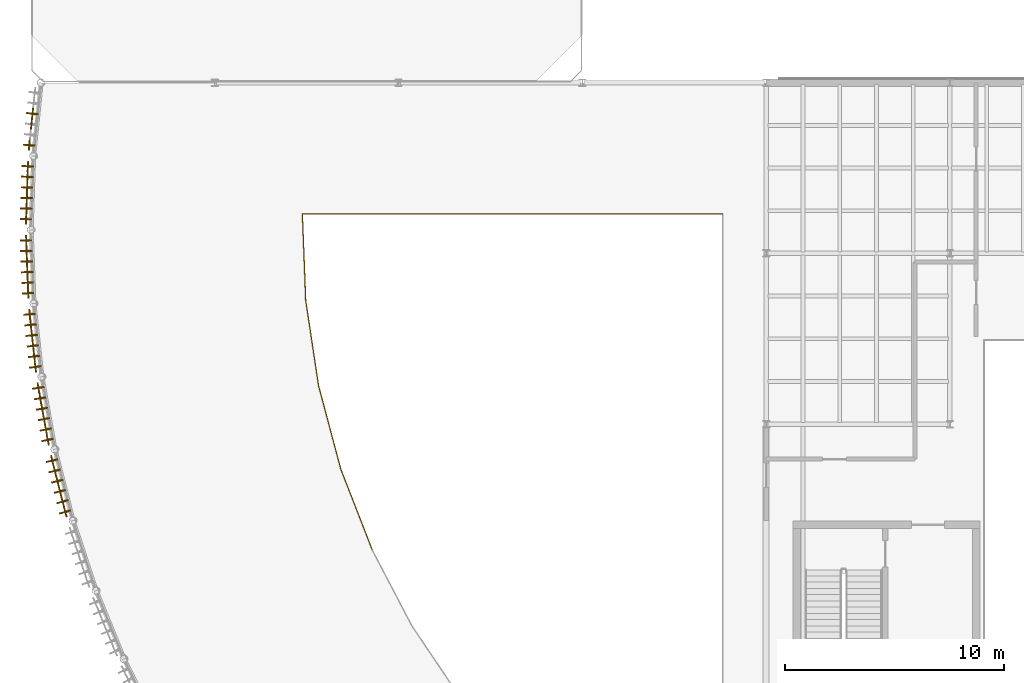
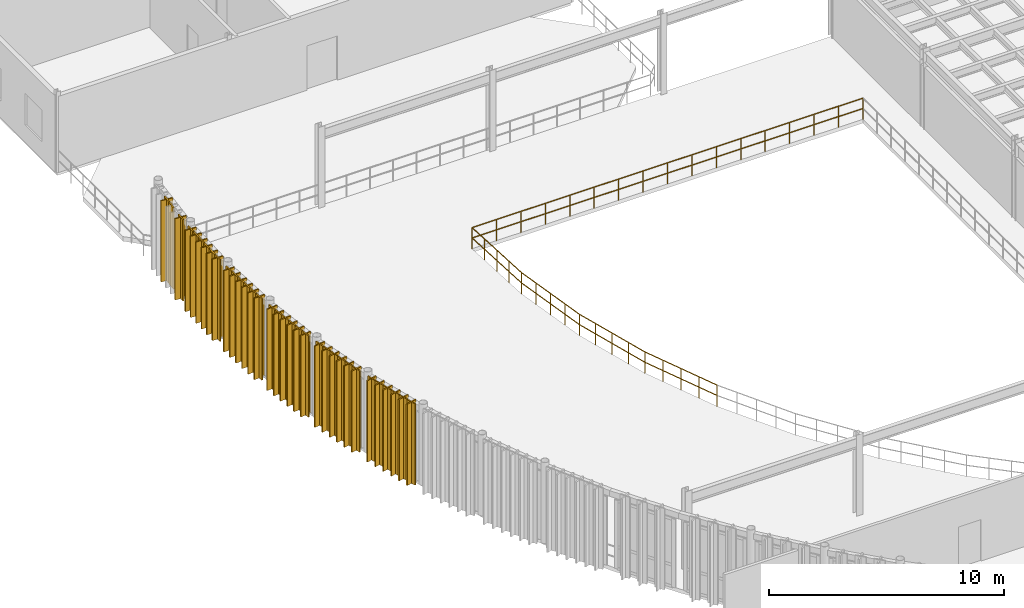
# One storey, part 29 of 32: 33 shading devices, 32 coverings, 5 railings.
"""IFC4 building model written with IfcOpenShell, lengths in metres."""

from ifc_helpers import new_model, si_unit, direction, frame, origin, origin_2d, place, context, subcontext, project, spatial, polyline, rectangle, circle, outline, extrude, material, layer, layer_set, material_profile, profile_set, type_object, element, save


model = new_model("IFC4")

# Units and contexts
model_context = context("Model", 3, precision=1e-05, world=origin(), true_north=direction((0.0, 1.0)))
body_context = subcontext(model_context, "Body", "Model", "MODEL_VIEW")
ifc_project = project(units=[si_unit("LENGTHUNIT", "METRE"), si_unit("AREAUNIT", "SQUARE_METRE"), si_unit("VOLUMEUNIT", "CUBIC_METRE"), si_unit("PLANEANGLEUNIT", "RADIAN"), si_unit("MASSUNIT", "GRAM", prefix="KILO")], contexts=[model_context])

# Site, building, storey
site_placement = place(None, origin())
site = spatial("IfcSite", under=ifc_project, at=site_placement, CompositionType="ELEMENT")
building_placement = place(site_placement, origin())
building = spatial("IfcBuilding", under=site, at=building_placement, Name="Selat Folded Stagehouse", CompositionType="ELEMENT")
storey_placement = place(building_placement, frame((0.0, 0.0, 19.199951171875)))
storey = spatial("IfcBuildingStorey", under=building, at=storey_placement, Name="L04", CompositionType="ELEMENT", Elevation=19.199951171875)

# Coverings
ifc_material_1 = material(Name="Bronze-anodised aluminium 6063-T6", Category="aluminium")
ifc_layer_1 = layer(ifc_material_1, 0.06005859375)
ifc_layer_set_1 = layer_set([ifc_layer_1], Name="Bronze-anodised aluminium 6063-T6")
covering_type = type_object("IfcCoveringType", Name="COV-FIN-BRZ42", PredefinedType="CLADDING", material=ifc_layer_set_1)
covering_1_placement = place(storey_placement, frame((0.0, 0.0, -0.099853515625)))
element("IfcCovering", 1, at=covering_1_placement, inside=storey, type_object=covering_type, Name="L04 drum bronze fin cladding sheath 014", PredefinedType="CLADDING", context=body_context, shape_type="SweptSolid", body=[
    extrude(outline(polyline([(0.3310546875, 53.193359375), (-0.205810546875, 53.251708984375), (-0.212646484375, 53.18798828125), (0.32421875, 53.1298828125), (0.3310546875, 53.193359375)])), origin(), (0.0, 0.0, 1.0), 4.219970703125),
])
covering_2_placement = place(storey_placement, frame((0.0, 0.0, -0.099853515625)))
element("IfcCovering", 2, at=covering_2_placement, inside=storey, type_object=covering_type, Name="L04 drum bronze fin cladding sheath 029", PredefinedType="CLADDING", context=body_context, shape_type="SweptSolid", body=[
    extrude(outline(polyline([(0.181884765625, 51.7578125), (-0.3564453125, 51.7998046875), (-0.361328125, 51.736083984375), (0.177001953125, 51.694091796875), (0.181884765625, 51.7578125)])), origin(), (0.0, 0.0, 1.0), 4.219970703125),
])
covering_3_placement = place(storey_placement, frame((0.0, 0.0, -0.099853515625)))
element("IfcCovering", 3, at=covering_3_placement, inside=storey, type_object=covering_type, Name="L04 drum bronze fin cladding sheath 035", PredefinedType="CLADDING", context=body_context, shape_type="SweptSolid", body=[
    extrude(outline(polyline([(0.1162109375, 50.798583984375), (-0.4228515625, 50.82958984375), (-0.426513671875, 50.765869140625), (0.112548828125, 50.734619140625), (0.1162109375, 50.798583984375)])), origin(), (0.0, 0.0, 1.0), 4.219970703125),
])
covering_4_placement = place(storey_placement, frame((0.0, 0.0, -0.099853515625)))
element("IfcCovering", 4, at=covering_4_placement, inside=storey, type_object=covering_type, Name="L04 drum bronze fin cladding sheath 041", PredefinedType="CLADDING", context=body_context, shape_type="SweptSolid", body=[
    extrude(outline(polyline([(0.10009765625, 50.31787109375), (-0.439208984375, 50.343505859375), (-0.4423828125, 50.279541015625), (0.09716796875, 50.25390625), (0.10009765625, 50.31787109375)])), origin(), (0.0, 0.0, 1.0), 4.219970703125),
])
covering_5_placement = place(storey_placement, frame((0.0, 0.0, -0.099853515625)))
element("IfcCovering", 5, at=covering_5_placement, inside=storey, type_object=covering_type, Name="L04 drum bronze fin cladding sheath 047", PredefinedType="CLADDING", context=body_context, shape_type="SweptSolid", body=[
    extrude(outline(polyline([(0.083984375, 49.8369140625), (-0.45556640625, 49.857421875), (-0.4580078125, 49.793212890625), (0.081787109375, 49.77294921875), (0.083984375, 49.8369140625)])), origin(), (0.0, 0.0, 1.0), 4.219970703125),
])
covering_6_placement = place(storey_placement, frame((0.0, 0.0, -0.099853515625)))
element("IfcCovering", 6, at=covering_6_placement, inside=storey, type_object=covering_type, Name="L04 drum bronze fin cladding sheath 053", PredefinedType="CLADDING", context=body_context, shape_type="SweptSolid", body=[
    extrude(outline(polyline([(0.068115234375, 49.356201171875), (-0.4716796875, 49.37109375), (-0.473388671875, 49.30712890625), (0.06640625, 49.2919921875), (0.068115234375, 49.356201171875)])), origin(), (0.0, 0.0, 1.0), 4.219970703125),
])
covering_7_placement = place(storey_placement, frame((0.0, 0.0, -0.099853515625)))
element("IfcCovering", 7, at=covering_7_placement, inside=storey, type_object=covering_type, Name="L04 drum bronze fin cladding sheath 059", PredefinedType="CLADDING", context=body_context, shape_type="SweptSolid", body=[
    extrude(outline(polyline([(0.052001953125, 48.875244140625), (-0.48779296875, 48.884765625), (-0.489013671875, 48.82080078125), (0.051025390625, 48.811279296875), (0.052001953125, 48.875244140625)])), origin(), (0.0, 0.0, 1.0), 4.219970703125),
])
covering_8_placement = place(storey_placement, frame((0.0, 0.0, -0.099853515625)))
element("IfcCovering", 8, at=covering_8_placement, inside=storey, type_object=covering_type, Name="L04 drum bronze fin cladding sheath 065", PredefinedType="CLADDING", context=body_context, shape_type="SweptSolid", body=[
    extrude(outline(polyline([(0.0361328125, 48.39453125), (-0.50390625, 48.398681640625), (-0.50439453125, 48.334716796875), (0.03564453125, 48.33056640625), (0.0361328125, 48.39453125)])), origin(), (0.0, 0.0, 1.0), 4.219970703125),
])
covering_9_placement = place(storey_placement, frame((0.0, 0.0, -0.099853515625)))
element("IfcCovering", 9, at=covering_9_placement, inside=storey, type_object=covering_type, Name="L04 drum bronze fin cladding sheath 071", PredefinedType="CLADDING", context=body_context, shape_type="SweptSolid", body=[
    extrude(outline(polyline([(0.037841796875, 47.432861328125), (-0.502197265625, 47.42626953125), (-0.50146484375, 47.3623046875), (0.03857421875, 47.368896484375), (0.037841796875, 47.432861328125)])), origin(), (0.0, 0.0, 1.0), 4.219970703125),
])
covering_10_placement = place(storey_placement, frame((0.0, 0.0, -0.099853515625)))
element("IfcCovering", 10, at=covering_10_placement, inside=storey, type_object=covering_type, Name="L04 drum bronze fin cladding sheath 077", PredefinedType="CLADDING", context=body_context, shape_type="SweptSolid", body=[
    extrude(outline(polyline([(0.055419921875, 46.9521484375), (-0.484375, 46.93994140625), (-0.48291015625, 46.8759765625), (0.056884765625, 46.88818359375), (0.055419921875, 46.9521484375)])), origin(), (0.0, 0.0, 1.0), 4.219970703125),
])
covering_11_placement = place(storey_placement, frame((0.0, 0.0, -0.099853515625)))
element("IfcCovering", 11, at=covering_11_placement, inside=storey, type_object=covering_type, Name="L04 drum bronze fin cladding sheath 083", PredefinedType="CLADDING", context=body_context, shape_type="SweptSolid", body=[
    extrude(outline(polyline([(0.0732421875, 46.471435546875), (-0.46630859375, 46.453857421875), (-0.46435546875, 46.389892578125), (0.075439453125, 46.407470703125), (0.0732421875, 46.471435546875)])), origin(), (0.0, 0.0, 1.0), 4.219970703125),
])
covering_12_placement = place(storey_placement, frame((0.0, 0.0, -0.099853515625)))
element("IfcCovering", 12, at=covering_12_placement, inside=storey, type_object=covering_type, Name="L04 drum bronze fin cladding sheath 089", PredefinedType="CLADDING", context=body_context, shape_type="SweptSolid", body=[
    extrude(outline(polyline([(0.091064453125, 45.99072265625), (-0.448486328125, 45.9677734375), (-0.44580078125, 45.90380859375), (0.09375, 45.9267578125), (0.091064453125, 45.99072265625)])), origin(), (0.0, 0.0, 1.0), 4.219970703125),
])
covering_13_placement = place(storey_placement, frame((0.0, 0.0, -0.099853515625)))
element("IfcCovering", 13, at=covering_13_placement, inside=storey, type_object=covering_type, Name="L04 drum bronze fin cladding sheath 095", PredefinedType="CLADDING", context=body_context, shape_type="SweptSolid", body=[
    extrude(outline(polyline([(0.10888671875, 45.510009765625), (-0.430419921875, 45.4814453125), (-0.427001953125, 45.41748046875), (0.1123046875, 45.446044921875), (0.10888671875, 45.510009765625)])), origin(), (0.0, 0.0, 1.0), 4.219970703125),
])
covering_14_placement = place(storey_placement, frame((0.0, 0.0, -0.099853515625)))
element("IfcCovering", 14, at=covering_14_placement, inside=storey, type_object=covering_type, Name="L04 drum bronze fin cladding sheath 101", PredefinedType="CLADDING", context=body_context, shape_type="SweptSolid", body=[
    extrude(outline(polyline([(0.126708984375, 45.029052734375), (-0.412353515625, 44.995361328125), (-0.408447265625, 44.931396484375), (0.130615234375, 44.96533203125), (0.126708984375, 45.029052734375)])), origin(), (0.0, 0.0, 1.0), 4.219970703125),
])
covering_15_placement = place(storey_placement, frame((0.0, 0.0, -0.099853515625)))
element("IfcCovering", 15, at=covering_15_placement, inside=storey, type_object=covering_type, Name="L04 drum bronze fin cladding sheath 107", PredefinedType="CLADDING", context=body_context, shape_type="SweptSolid", body=[
    extrude(outline(polyline([(0.19580078125, 44.070068359375), (-0.34228515625, 44.025390625), (-0.337158203125, 43.961669921875), (0.200927734375, 44.00634765625), (0.19580078125, 44.070068359375)])), origin(), (0.0, 0.0, 1.0), 4.219970703125),
])
covering_16_placement = place(storey_placement, frame((0.0, 0.0, -0.099853515625)))
element("IfcCovering", 16, at=covering_16_placement, inside=storey, type_object=covering_type, Name="L04 drum bronze fin cladding sheath 113", PredefinedType="CLADDING", context=body_context, shape_type="SweptSolid", body=[
    extrude(outline(polyline([(0.247314453125, 43.591796875), (-0.29052734375, 43.541748046875), (-0.28466796875, 43.47802734375), (0.253173828125, 43.528076171875), (0.247314453125, 43.591796875)])), origin(), (0.0, 0.0, 1.0), 4.219970703125),
])
covering_17_placement = place(storey_placement, frame((0.0, 0.0, -0.099853515625)))
element("IfcCovering", 17, at=covering_17_placement, inside=storey, type_object=covering_type, Name="L04 drum bronze fin cladding sheath 119", PredefinedType="CLADDING", context=body_context, shape_type="SweptSolid", body=[
    extrude(outline(polyline([(0.298583984375, 43.11328125), (-0.238525390625, 43.05810546875), (-0.23193359375, 42.994384765625), (0.30517578125, 43.0498046875), (0.298583984375, 43.11328125)])), origin(), (0.0, 0.0, 1.0), 4.219970703125),
])
covering_18_placement = place(storey_placement, frame((0.0, 0.0, -0.099853515625)))
element("IfcCovering", 18, at=covering_18_placement, inside=storey, type_object=covering_type, Name="L04 drum bronze fin cladding sheath 125", PredefinedType="CLADDING", context=body_context, shape_type="SweptSolid", body=[
    extrude(outline(polyline([(0.35009765625, 42.635009765625), (-0.1865234375, 42.57421875), (-0.17919921875, 42.5107421875), (0.357421875, 42.571533203125), (0.35009765625, 42.635009765625)])), origin(), (0.0, 0.0, 1.0), 4.219970703125),
])
covering_19_placement = place(storey_placement, frame((0.0, 0.0, -0.099853515625)))
element("IfcCovering", 19, at=covering_19_placement, inside=storey, type_object=covering_type, Name="L04 drum bronze fin cladding sheath 131", PredefinedType="CLADDING", context=body_context, shape_type="SweptSolid", body=[
    extrude(outline(polyline([(0.401611328125, 42.15673828125), (-0.134521484375, 42.090576171875), (-0.126708984375, 42.027099609375), (0.4091796875, 42.09326171875), (0.401611328125, 42.15673828125)])), origin(), (0.0, 0.0, 1.0), 4.219970703125),
])
covering_20_placement = place(storey_placement, frame((0.0, 0.0, -0.099853515625)))
element("IfcCovering", 20, at=covering_20_placement, inside=storey, type_object=covering_type, Name="L04 drum bronze fin cladding sheath 137", PredefinedType="CLADDING", context=body_context, shape_type="SweptSolid", body=[
    extrude(outline(polyline([(0.452880859375, 41.678466796875), (-0.082275390625, 41.606689453125), (-0.073974609375, 41.54345703125), (0.46142578125, 41.614990234375), (0.452880859375, 41.678466796875)])), origin(), (0.0, 0.0, 1.0), 4.219970703125),
])
covering_21_placement = place(storey_placement, frame((0.0, 0.0, -0.099853515625)))
element("IfcCovering", 21, at=covering_21_placement, inside=storey, type_object=covering_type, Name="L04 drum bronze fin cladding sheath 143", PredefinedType="CLADDING", context=body_context, shape_type="SweptSolid", body=[
    extrude(outline(polyline([(0.589111328125, 40.7265625), (0.055419921875, 40.644287109375), (0.065185546875, 40.5810546875), (0.598876953125, 40.6630859375), (0.589111328125, 40.7265625)])), origin(), (0.0, 0.0, 1.0), 4.219970703125),
])
covering_22_placement = place(storey_placement, frame((0.0, 0.0, -0.099853515625)))
element("IfcCovering", 22, at=covering_22_placement, inside=storey, type_object=covering_type, Name="L04 drum bronze fin cladding sheath 149", PredefinedType="CLADDING", context=body_context, shape_type="SweptSolid", body=[
    extrude(outline(polyline([(0.674072265625, 40.2529296875), (0.14111328125, 40.165283203125), (0.151611328125, 40.102294921875), (0.684326171875, 40.189697265625), (0.674072265625, 40.2529296875)])), origin(), (0.0, 0.0, 1.0), 4.219970703125),
])
covering_23_placement = place(storey_placement, frame((0.0, 0.0, -0.099853515625)))
element("IfcCovering", 23, at=covering_23_placement, inside=storey, type_object=covering_type, Name="L04 drum bronze fin cladding sheath 155", PredefinedType="CLADDING", context=body_context, shape_type="SweptSolid", body=[
    extrude(outline(polyline([(0.7587890625, 39.779296875), (0.22705078125, 39.6865234375), (0.238037109375, 39.623291015625), (0.77001953125, 39.71630859375), (0.7587890625, 39.779296875)])), origin(), (0.0, 0.0, 1.0), 4.219970703125),
])
covering_24_placement = place(storey_placement, frame((0.0, 0.0, -0.099853515625)))
element("IfcCovering", 24, at=covering_24_placement, inside=storey, type_object=covering_type, Name="L04 drum bronze fin cladding sheath 161", PredefinedType="CLADDING", context=body_context, shape_type="SweptSolid", body=[
    extrude(outline(polyline([(0.84375, 39.305908203125), (0.312744140625, 39.20751953125), (0.324462890625, 39.144775390625), (0.85546875, 39.242919921875), (0.84375, 39.305908203125)])), origin(), (0.0, 0.0, 1.0), 4.219970703125),
])
covering_25_placement = place(storey_placement, frame((0.0, 0.0, -0.099853515625)))
element("IfcCovering", 25, at=covering_25_placement, inside=storey, type_object=covering_type, Name="L04 drum bronze fin cladding sheath 167", PredefinedType="CLADDING", context=body_context, shape_type="SweptSolid", body=[
    extrude(outline(polyline([(0.9287109375, 38.832275390625), (0.398681640625, 38.728759765625), (0.410888671875, 38.666015625), (0.94091796875, 38.76953125), (0.9287109375, 38.832275390625)])), origin(), (0.0, 0.0, 1.0), 4.219970703125),
])
covering_26_placement = place(storey_placement, frame((0.0, 0.0, -0.099853515625)))
element("IfcCovering", 26, at=covering_26_placement, inside=storey, type_object=covering_type, Name="L04 drum bronze fin cladding sheath 173", PredefinedType="CLADDING", context=body_context, shape_type="SweptSolid", body=[
    extrude(outline(polyline([(1.013427734375, 38.35888671875), (0.484619140625, 38.25), (0.497314453125, 38.187255859375), (1.0263671875, 38.296142578125), (1.013427734375, 38.35888671875)])), origin(), (0.0, 0.0, 1.0), 4.219970703125),
])
covering_27_placement = place(storey_placement, frame((0.0, 0.0, -0.099853515625)))
element("IfcCovering", 27, at=covering_27_placement, inside=storey, type_object=covering_type, Name="L04 drum bronze fin cladding sheath 179", PredefinedType="CLADDING", context=body_context, shape_type="SweptSolid", body=[
    extrude(outline(polyline([(1.216064453125, 37.418701171875), (0.689453125, 37.29931640625), (0.70361328125, 37.23681640625), (1.230224609375, 37.3564453125), (1.216064453125, 37.418701171875)])), origin(), (0.0, 0.0, 1.0), 4.219970703125),
])
covering_28_placement = place(storey_placement, frame((0.0, 0.0, -0.099853515625)))
element("IfcCovering", 28, at=covering_28_placement, inside=storey, type_object=covering_type, Name="L04 drum bronze fin cladding sheath 185", PredefinedType="CLADDING", context=body_context, shape_type="SweptSolid", body=[
    extrude(outline(polyline([(1.333984375, 36.952392578125), (0.80859375, 36.82763671875), (0.823486328125, 36.765380859375), (1.348876953125, 36.89013671875), (1.333984375, 36.952392578125)])), origin(), (0.0, 0.0, 1.0), 4.219970703125),
])
covering_29_placement = place(storey_placement, frame((0.0, 0.0, -0.099853515625)))
element("IfcCovering", 29, at=covering_29_placement, inside=storey, type_object=covering_type, Name="L04 drum bronze fin cladding sheath 191", PredefinedType="CLADDING", context=body_context, shape_type="SweptSolid", body=[
    extrude(outline(polyline([(1.451904296875, 36.48583984375), (0.927734375, 36.35595703125), (0.943115234375, 36.293701171875), (1.46728515625, 36.423828125), (1.451904296875, 36.48583984375)])), origin(), (0.0, 0.0, 1.0), 4.219970703125),
])
covering_30_placement = place(storey_placement, frame((0.0, 0.0, -0.099853515625)))
element("IfcCovering", 30, at=covering_30_placement, inside=storey, type_object=covering_type, Name="L04 drum bronze fin cladding sheath 197", PredefinedType="CLADDING", context=body_context, shape_type="SweptSolid", body=[
    extrude(outline(polyline([(1.569580078125, 36.01953125), (1.046875, 35.88427734375), (1.06298828125, 35.822265625), (1.585693359375, 35.95751953125), (1.569580078125, 36.01953125)])), origin(), (0.0, 0.0, 1.0), 4.219970703125),
])
covering_31_placement = place(storey_placement, frame((0.0, 0.0, -0.099853515625)))
element("IfcCovering", 31, at=covering_31_placement, inside=storey, type_object=covering_type, Name="L04 drum bronze fin cladding sheath 203", PredefinedType="CLADDING", context=body_context, shape_type="SweptSolid", body=[
    extrude(outline(polyline([(1.6875, 35.552978515625), (1.166259765625, 35.41259765625), (1.182861328125, 35.350830078125), (1.7041015625, 35.4912109375), (1.6875, 35.552978515625)])), origin(), (0.0, 0.0, 1.0), 4.219970703125),
])
covering_32_placement = place(storey_placement, frame((0.0, 0.0, -0.099853515625)))
element("IfcCovering", 32, at=covering_32_placement, inside=storey, type_object=covering_type, Name="L04 drum bronze fin cladding sheath 209", PredefinedType="CLADDING", context=body_context, shape_type="SweptSolid", body=[
    extrude(outline(polyline([(1.805419921875, 35.086669921875), (1.285400390625, 34.94091796875), (1.302734375, 34.87939453125), (1.82275390625, 35.02490234375), (1.805419921875, 35.086669921875)])), origin(), (0.0, 0.0, 1.0), 4.219970703125),
])

# Railings
ifc_material_2 = material(Name="Bronze-anodised steel balustrade", Category="steel")
ifc_layer_2 = layer(ifc_material_2, 0.06494140625)
ifc_layer_set_2 = layer_set([ifc_layer_2], Name="Bronze-anodised steel balustrade")
railing_type = type_object("IfcRailingType", Name="RLG-BAL-1120", PredefinedType="BALUSTRADE", material=ifc_layer_set_2)
railing_1_placement = place(storey_placement, frame((15.592041015625, 33.26611328125, 0.0)))
element("IfcRailing", 33, at=railing_1_placement, inside=storey, type_object=railing_type, Name="L04 protective guard railing 117", PredefinedType="BALUSTRADE", context=body_context, shape_type="SweptSolid", body=[
    extrude(circle(Radius=0.02392578125, at=origin_2d()), frame((0.0, 0.0, 1.09619140625), z_axis=(-0.362765727312, 0.931880371661, 0.0), x_axis=(-0.931880371661, -0.362765727312, 0.0)), (0.0, 0.0, 1.0), 3.94580078125),
    extrude(circle(Radius=0.02392578125, at=origin_2d()), frame((0.0, 0.0, 0.56005859375), z_axis=(-0.362765727312, 0.931880371661, 0.0), x_axis=(-0.931880371661, -0.362765727312, 0.0)), (0.0, 0.0, 1.0), 3.94580078125),
    extrude(circle(Radius=0.02099609375, at=origin_2d()), origin(), (0.0, 0.0, 1.0), 1.072021484375),
    extrude(circle(Radius=0.02099609375, at=origin_2d()), frame((-0.35791015625, 0.919189453125, 0.0)), (0.0, 0.0, 1.0), 1.072021484375),
    extrude(circle(Radius=0.02099609375, at=origin_2d()), frame((-0.7158203125, 1.83837890625, 0.0)), (0.0, 0.0, 1.0), 1.072021484375),
    extrude(circle(Radius=0.02099609375, at=origin_2d()), frame((-1.073486328125, 2.7578125, 0.0)), (0.0, 0.0, 1.0), 1.072021484375),
    extrude(circle(Radius=0.02099609375, at=origin_2d()), frame((-1.431396484375, 3.677001953125, 0.0)), (0.0, 0.0, 1.0), 1.072021484375),
])
railing_2_placement = place(storey_placement, frame((14.16064453125, 36.943115234375, 0.0)))
element("IfcRailing", 34, at=railing_2_placement, inside=storey, type_object=railing_type, Name="L04 protective guard railing 118", PredefinedType="BALUSTRADE", context=body_context, shape_type="SweptSolid", body=[
    extrude(circle(Radius=0.02392578125, at=origin_2d()), frame((0.0, 0.0, 1.09619140625), z_axis=(-0.257416153679, 0.966300638427, 0.0), x_axis=(-0.966300638427, -0.257416153679, 0.0)), (0.0, 0.0, 1.0), 3.945556640625),
    extrude(circle(Radius=0.02392578125, at=origin_2d()), frame((0.0, 0.0, 0.56005859375), z_axis=(-0.257416153679, 0.966300638427, 0.0), x_axis=(-0.966300638427, -0.257416153679, 0.0)), (0.0, 0.0, 1.0), 3.945556640625),
    extrude(circle(Radius=0.02099609375, at=origin_2d()), origin(), (0.0, 0.0, 1.0), 1.072021484375),
    extrude(circle(Radius=0.02099609375, at=origin_2d()), frame((-0.25390625, 0.953125, 0.0)), (0.0, 0.0, 1.0), 1.072021484375),
    extrude(circle(Radius=0.02099609375, at=origin_2d()), frame((-0.5078125, 1.90625, 0.0)), (0.0, 0.0, 1.0), 1.072021484375),
    extrude(circle(Radius=0.02099609375, at=origin_2d()), frame((-0.76171875, 2.859375, 0.0)), (0.0, 0.0, 1.0), 1.072021484375),
    extrude(circle(Radius=0.02099609375, at=origin_2d()), frame((-1.015625, 3.8125, 0.0)), (0.0, 0.0, 1.0), 1.072021484375),
])
railing_3_placement = place(storey_placement, frame((13.14501953125, 40.755615234375, 0.0)))
element("IfcRailing", 35, at=railing_3_placement, inside=storey, type_object=railing_type, Name="L04 protective guard railing 119", PredefinedType="BALUSTRADE", context=body_context, shape_type="SweptSolid", body=[
    extrude(circle(Radius=0.02392578125, at=origin_2d()), frame((0.0, 0.0, 1.09619140625), z_axis=(-0.148936496937, 0.988846762588, 0.0), x_axis=(-0.988846762588, -0.148936496937, 0.0)), (0.0, 0.0, 1.0), 3.945556640625),
    extrude(circle(Radius=0.02392578125, at=origin_2d()), frame((0.0, 0.0, 0.56005859375), z_axis=(-0.148936496937, 0.988846762588, 0.0), x_axis=(-0.988846762588, -0.148936496937, 0.0)), (0.0, 0.0, 1.0), 3.945556640625),
    extrude(circle(Radius=0.02099609375, at=origin_2d()), origin(), (0.0, 0.0, 1.0), 1.072021484375),
    extrude(circle(Radius=0.02099609375, at=origin_2d()), frame((-0.14697265625, 0.975341796875, 0.0)), (0.0, 0.0, 1.0), 1.072021484375),
    extrude(circle(Radius=0.02099609375, at=origin_2d()), frame((-0.2939453125, 1.95068359375, 0.0)), (0.0, 0.0, 1.0), 1.072021484375),
    extrude(circle(Radius=0.02099609375, at=origin_2d()), frame((-0.440673828125, 2.92626953125, 0.0)), (0.0, 0.0, 1.0), 1.072021484375),
    extrude(circle(Radius=0.02099609375, at=origin_2d()), frame((-0.587646484375, 3.901611328125, 0.0)), (0.0, 0.0, 1.0), 1.072021484375),
])
railing_4_placement = place(storey_placement, frame((12.557373046875, 44.6572265625, 0.0)))
element("IfcRailing", 36, at=railing_4_placement, inside=storey, type_object=railing_type, Name="L04 protective guard railing 120", PredefinedType="BALUSTRADE", context=body_context, shape_type="SweptSolid", body=[
    extrude(circle(Radius=0.02392578125, at=origin_2d()), frame((0.0, 0.0, 1.09619140625), z_axis=(-0.038608962423, 0.999254396048, 0.0), x_axis=(-0.999254396048, -0.038608962423, 0.0)), (0.0, 0.0, 1.0), 3.94580078125),
    extrude(circle(Radius=0.02392578125, at=origin_2d()), frame((0.0, 0.0, 0.56005859375), z_axis=(-0.038608962423, 0.999254396048, 0.0), x_axis=(-0.999254396048, -0.038608962423, 0.0)), (0.0, 0.0, 1.0), 3.94580078125),
    extrude(circle(Radius=0.02099609375, at=origin_2d()), origin(), (0.0, 0.0, 1.0), 1.072021484375),
    extrude(circle(Radius=0.02099609375, at=origin_2d()), frame((-0.0380859375, 0.98583984375, 0.0)), (0.0, 0.0, 1.0), 1.072021484375),
    extrude(circle(Radius=0.02099609375, at=origin_2d()), frame((-0.076171875, 1.971435546875, 0.0)), (0.0, 0.0, 1.0), 1.072021484375),
    extrude(circle(Radius=0.02099609375, at=origin_2d()), frame((-0.1142578125, 2.95703125, 0.0)), (0.0, 0.0, 1.0), 1.072021484375),
    extrude(circle(Radius=0.02099609375, at=origin_2d()), frame((-0.15234375, 3.94287109375, 0.0)), (0.0, 0.0, 1.0), 1.072021484375),
])
railing_5_placement = place(storey_placement, frame((12.405029296875, 48.60009765625, 0.0)))
element("IfcRailing", 37, at=railing_5_placement, inside=storey, type_object=railing_type, Name="L04 protective guard railing 121", PredefinedType="BALUSTRADE", context=body_context, shape_type="SweptSolid", body=[
    extrude(circle(Radius=0.02392578125, at=origin_2d()), frame((0.0, 0.0, 1.09619140625), z_axis=(1.0, 0.0, 0.0), x_axis=(0.0, 1.0, 0.0)), (0.0, 0.0, 1.0), 19.195068359375),
    extrude(circle(Radius=0.02392578125, at=origin_2d()), frame((0.0, 0.0, 0.56005859375), z_axis=(1.0, 0.0, 0.0), x_axis=(0.0, 1.0, 0.0)), (0.0, 0.0, 1.0), 19.195068359375),
    extrude(circle(Radius=0.02099609375, at=origin_2d()), origin(), (0.0, 0.0, 1.0), 1.072021484375),
    extrude(circle(Radius=0.02099609375, at=origin_2d()), frame((1.19970703125, 0.0, 0.0)), (0.0, 0.0, 1.0), 1.072021484375),
    extrude(circle(Radius=0.02099609375, at=origin_2d()), frame((2.3994140625, 0.0, 0.0)), (0.0, 0.0, 1.0), 1.072021484375),
    extrude(circle(Radius=0.02099609375, at=origin_2d()), frame((3.59912109375, 0.0, 0.0)), (0.0, 0.0, 1.0), 1.072021484375),
    extrude(circle(Radius=0.02099609375, at=origin_2d()), frame((4.798828125, 0.0, 0.0)), (0.0, 0.0, 1.0), 1.072021484375),
    extrude(circle(Radius=0.02099609375, at=origin_2d()), frame((5.99853515625, 0.0, 0.0)), (0.0, 0.0, 1.0), 1.072021484375),
    extrude(circle(Radius=0.02099609375, at=origin_2d()), frame((7.1982421875, 0.0, 0.0)), (0.0, 0.0, 1.0), 1.072021484375),
    extrude(circle(Radius=0.02099609375, at=origin_2d()), frame((8.39794921875, 0.0, 0.0)), (0.0, 0.0, 1.0), 1.072021484375),
    extrude(circle(Radius=0.02099609375, at=origin_2d()), frame((9.59765625, 0.0, 0.0)), (0.0, 0.0, 1.0), 1.072021484375),
    extrude(circle(Radius=0.02099609375, at=origin_2d()), frame((10.797119140625, 0.0, 0.0)), (0.0, 0.0, 1.0), 1.072021484375),
    extrude(circle(Radius=0.02099609375, at=origin_2d()), frame((11.996826171875, 0.0, 0.0)), (0.0, 0.0, 1.0), 1.072021484375),
    extrude(circle(Radius=0.02099609375, at=origin_2d()), frame((13.196533203125, 0.0, 0.0)), (0.0, 0.0, 1.0), 1.072021484375),
    extrude(circle(Radius=0.02099609375, at=origin_2d()), frame((14.396240234375, 0.0, 0.0)), (0.0, 0.0, 1.0), 1.072021484375),
    extrude(circle(Radius=0.02099609375, at=origin_2d()), frame((15.595947265625, 0.0, 0.0)), (0.0, 0.0, 1.0), 1.072021484375),
    extrude(circle(Radius=0.02099609375, at=origin_2d()), frame((16.795654296875, 0.0, 0.0)), (0.0, 0.0, 1.0), 1.072021484375),
    extrude(circle(Radius=0.02099609375, at=origin_2d()), frame((17.995361328125, 0.0, 0.0)), (0.0, 0.0, 1.0), 1.072021484375),
    extrude(circle(Radius=0.02099609375, at=origin_2d()), frame((19.195068359375, 0.0, 0.0)), (0.0, 0.0, 1.0), 1.072021484375),
])

# Shading devices
ifc_material_profile = material_profile(ifc_material_1, rectangle(XDim=0.06005859375, YDim=0.47998046875, at=origin_2d()), Name="SOLAR-FIN 480x60")
ifc_profile_set = profile_set([ifc_material_profile], Name="Bronze-anodised aluminium 6063-T6")
shading_device_type = type_object("IfcShadingDeviceType", Name="SHD-FIN-480x60", PredefinedType="USERDEFINED", material=ifc_profile_set)
for number, where, z_axis, x_axis, name in (
    (38, (0.069091796875, 53.189697265625, -0.099853515625), (0.0, 0.0, 1.0), (-0.994188602291, 0.107652324982, 0.0), "L04 drum vertical bronze solar fin 014"),
    (39, (0.019287109375, 52.70849609375, -0.099853515625), (0.0, 0.0, 1.0), (-0.995227399982, 0.097582899759, 0.0), "L04 drum vertical bronze solar fin 019"),
    (40, (-0.079833984375, 51.74609375, -0.099853515625), (0.0, 0.0, 1.0), (-0.996971865568, 0.077763097071, 0.0), "L04 drum vertical bronze solar fin 029"),
    (41, (-0.145263671875, 50.781494140625, -0.099853515625), (0.0, 0.0, 1.0), (-0.99833175459, 0.0577382696, 0.0), "L04 drum vertical bronze solar fin 035"),
    (42, (-0.1611328125, 50.298095703125, -0.099853515625), (0.0, 0.0, 1.0), (-0.998865073158, 0.047629461744, 0.0), "L04 drum vertical bronze solar fin 041"),
    (43, (-0.177001953125, 49.814697265625, -0.099853515625), (0.0, 0.0, 1.0), (-0.999289472641, 0.03769018267, 0.0), "L04 drum vertical bronze solar fin 047"),
    (44, (-0.192626953125, 49.331298828125, -0.099853515625), (0.0, 0.0, 1.0), (-0.999619800631, 0.027572707275, 0.0), "L04 drum vertical bronze solar fin 053"),
    (45, (-0.20849609375, 48.847900390625, -0.099853515625), (0.0, 0.0, 1.0), (-0.999844633908, 0.017626912514, 0.0), "L04 drum vertical bronze solar fin 059"),
    (46, (-0.22412109375, 48.364501953125, -0.099853515625), (0.0, 0.0, 1.0), (-0.999971838252, 0.007504845333, 0.0), "L04 drum vertical bronze solar fin 065"),
    (47, (-0.2216796875, 47.397705078125, -0.099853515625), (0.0, 0.0, 1.0), (-0.999921044204, -0.012566039883, 0.0), "L04 drum vertical bronze solar fin 071"),
    (48, (-0.20361328125, 46.914306640625, -0.099853515625), (0.0, 0.0, 1.0), (-0.999746553782, -0.022512845226, 0.0), "L04 drum vertical bronze solar fin 077"),
    (49, (-0.185546875, 46.430908203125, -0.099853515625), (0.0, 0.0, 1.0), (-0.999467438949, -0.032631862958, 0.0), "L04 drum vertical bronze solar fin 083"),
    (50, (-0.167236328125, 45.947509765625, -0.099853515625), (0.0, 0.0, 1.0), (-0.9990933519, -0.042573162788, 0.0), "L04 drum vertical bronze solar fin 089"),
    (51, (-0.149169921875, 45.46435546875, -0.099853515625), (0.0, 0.0, 1.0), (-0.998620385197, -0.052510249179, 0.0), "L04 drum vertical bronze solar fin 095"),
    (52, (-0.130859375, 44.98095703125, -0.099853515625), (0.0, 0.0, 1.0), (-0.99803767224, -0.06261633005, 0.0), "L04 drum vertical bronze solar fin 101"),
    (53, (-0.060791015625, 44.0166015625, -0.099853515625), (0.0, 0.0, 1.0), (-0.996579940078, -0.08263427276, 0.0), "L04 drum vertical bronze solar fin 107"),
    (54, (-0.0087890625, 43.535888671875, -0.099853515625), (0.0, 0.0, 1.0), (-0.99570856131, -0.092544372783, 0.0), "L04 drum vertical bronze solar fin 113"),
    (55, (0.043212890625, 43.054931640625, -0.099853515625), (0.0, 0.0, 1.0), (-0.994720742649, -0.10261892683, 0.0), "L04 drum vertical bronze solar fin 119"),
    (56, (0.09521484375, 42.573974609375, -0.099853515625), (0.0, 0.0, 1.0), (-0.993650644295, -0.112509542228, 0.0), "L04 drum vertical bronze solar fin 125"),
    (57, (0.1474609375, 42.093017578125, -0.099853515625), (0.0, 0.0, 1.0), (-0.992460828919, -0.122562241583, 0.0), "L04 drum vertical bronze solar fin 131"),
    (58, (0.199462890625, 41.6123046875, -0.099853515625), (0.0, 0.0, 1.0), (-0.99119244206, -0.13242938799, 0.0), "L04 drum vertical bronze solar fin 137"),
    (59, (0.337158203125, 40.6552734375, -0.099853515625), (0.0, 0.0, 1.0), (-0.988334944875, -0.152295885498, 0.0), "L04 drum vertical bronze solar fin 143"),
    (60, (0.422607421875, 40.17919921875, -0.099853515625), (0.0, 0.0, 1.0), (-0.986770965572, -0.162120515372, 0.0), "L04 drum vertical bronze solar fin 149"),
    (61, (0.50830078125, 39.703125, -0.099853515625), (0.0, 0.0, 1.0), (-0.985079303862, -0.172101031672, 0.0), "L04 drum vertical bronze solar fin 155"),
    (62, (0.593994140625, 39.22705078125, -0.099853515625), (0.0, 0.0, 1.0), (-0.983318459858, -0.181892293686, 0.0), "L04 drum vertical bronze solar fin 161"),
    (63, (0.6796875, 38.7509765625, -0.099853515625), (0.0, 0.0, 1.0), (-0.981426830534, -0.191836848149, 0.0), "L04 drum vertical bronze solar fin 167"),
    (64, (0.76513671875, 38.27490234375, -0.099853515625), (0.0, 0.0, 1.0), (-0.979469831173, -0.20159079796, 0.0), "L04 drum vertical bronze solar fin 173"),
    (65, (0.9697265625, 37.330078125, -0.099853515625), (0.0, 0.0, 1.0), (-0.975226629909, -0.22120809279, 0.0), "L04 drum vertical bronze solar fin 179"),
    (66, (1.08837890625, 36.861083984375, -0.099853515625), (0.0, 0.0, 1.0), (-0.972937431695, -0.231068721395, 0.0), "L04 drum vertical bronze solar fin 185"),
    (67, (1.207275390625, 36.392333984375, -0.099853515625), (0.0, 0.0, 1.0), (-0.970590565411, -0.240736275485, 0.0), "L04 drum vertical bronze solar fin 191"),
    (68, (1.325927734375, 35.92333984375, -0.099853515625), (0.0, 0.0, 1.0), (-0.968103926078, -0.25054897388, 0.0), "L04 drum vertical bronze solar fin 197"),
    (69, (1.44482421875, 35.45458984375, -0.099853515625), (0.0, 0.0, 1.0), (-0.965563505285, -0.260167479254, 0.0), "L04 drum vertical bronze solar fin 203"),
    (70, (1.563720703125, 34.985595703125, -0.099853515625), (0.0, 0.0, 1.0), (-0.962880426559, -0.26992829446, 0.0), "L04 drum vertical bronze solar fin 209"),
):
    element("IfcShadingDevice", number, at=place(storey_placement, frame(where, z_axis=z_axis, x_axis=x_axis)), inside=storey, type_object=shading_device_type, Name=name, ObjectType="FIN", PredefinedType="USERDEFINED", context=body_context, shape_type="SweptSolid", body=[
        extrude(rectangle(XDim=0.06005859375, YDim=0.47998046875, at=origin_2d()), origin(), (0.0, 0.0, 1.0), 4.219970703125),
    ])

save(model, "model.ifc")
